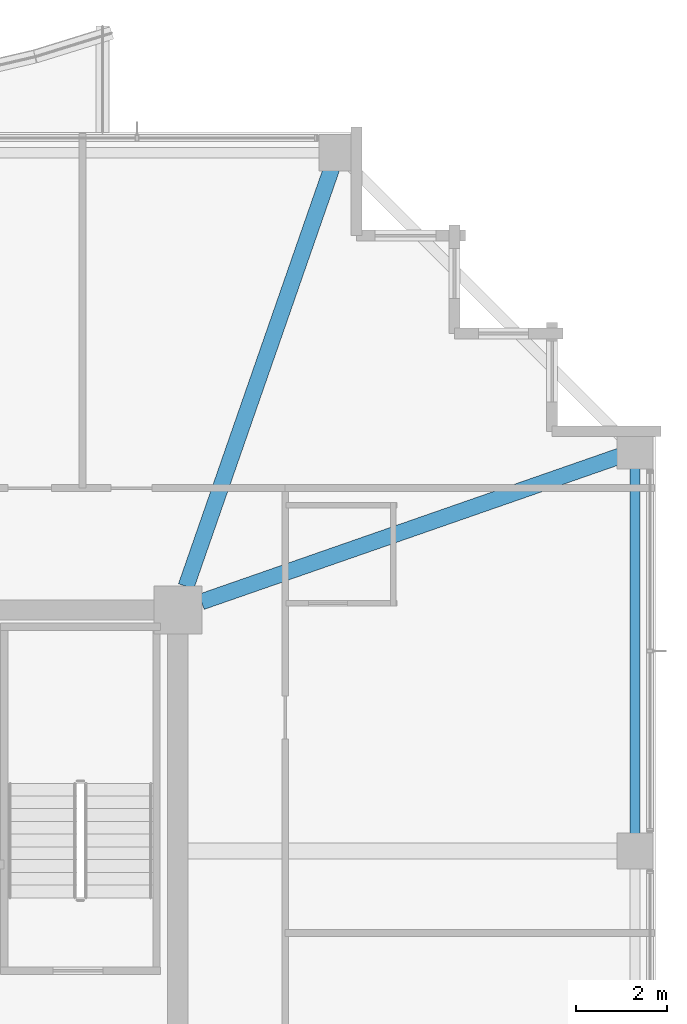
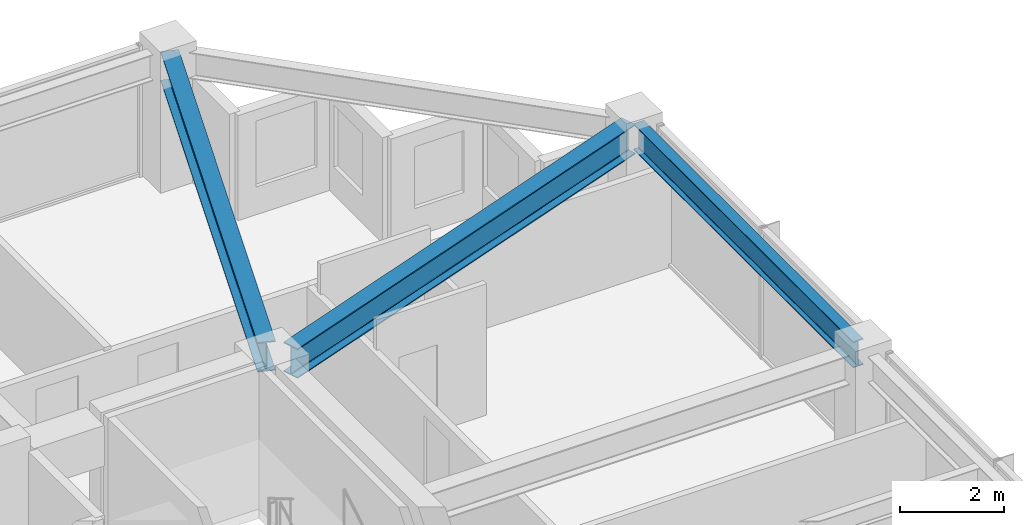
# One storey, part 20 of 36: 3 beams.
"""IFC4 building model written with IfcOpenShell, lengths in metres."""

from ifc_helpers import new_model, si_unit, direction, frame, origin, origin_2d, place, context, subcontext, project, spatial, i_section, extrude, material, material_profile, profile_set, type_object, element, save


model = new_model("IFC4")

# Units and contexts
model_context = context("Model", 3, precision=1e-05, world=origin(), true_north=direction((0.0, 1.0)))
body_context = subcontext(model_context, "Body", "Model", "MODEL_VIEW")
ifc_project = project(units=[si_unit("LENGTHUNIT", "METRE"), si_unit("AREAUNIT", "SQUARE_METRE"), si_unit("VOLUMEUNIT", "CUBIC_METRE"), si_unit("PLANEANGLEUNIT", "RADIAN"), si_unit("MASSUNIT", "GRAM", prefix="KILO")], contexts=[model_context])

# Site, building, storey
site_placement = place(None, origin())
site = spatial("IfcSite", under=ifc_project, at=site_placement, CompositionType="ELEMENT")
building_placement = place(site_placement, origin())
building = spatial("IfcBuilding", under=site, at=building_placement, Name="Kolvaren Belvedere", CompositionType="ELEMENT")
storey_placement = place(building_placement, frame((0.0, 0.0, 226.199951171875)))
storey = spatial("IfcBuildingStorey", under=building, at=storey_placement, Name="L66", CompositionType="ELEMENT", Elevation=226.199951171875)

# Beams
ifc_material_1 = material(Name="Structural steel ASTM A992 Grade 50", Category="steel")
ifc_material_profile_1 = material_profile(ifc_material_1, i_section(OverallWidth=0.35498046875, OverallDepth=0.696044921875, WebThickness=0.015380859375, FlangeThickness=0.02490234375, FilletRadius=0.02197265625, at=origin_2d()), Name="W27X146")
ifc_profile_set_1 = profile_set([ifc_material_profile_1], Name="Structural steel ASTM A992 Grade 50")
beam_type_1 = type_object("IfcBeamType", Name="BM-GIRD-W27X146", PredefinedType="BEAM", material=ifc_profile_set_1)
for number, where, z_axis, x_axis, name in (
    (1, (10.080810546875, 10.41943359375, 2.73193359375), (0.328898147971, 0.944365399758, 0.0), (-0.944365399758, 0.328898147971, 0.0), "L66 Corner Core-to-Perimeter Girder CC3-N4"),
    (2, (10.41943359375, 10.080810546875, 2.73193359375), (0.944365399758, 0.328898147971, 0.0), (-0.328898147971, 0.944365399758, 0.0), "L66 Corner Core-to-Perimeter Girder CC3-E4"),
):
    element("IfcBeam", number, at=place(storey_placement, frame(where, z_axis=z_axis, x_axis=x_axis)), inside=storey, type_object=beam_type_1, Name=name, PredefinedType="BEAM", context=body_context, shape_type="SweptSolid", body=[
        extrude(i_section(OverallWidth=0.35498046875, OverallDepth=0.696044921875, WebThickness=0.015380859375, FlangeThickness=0.02490234375, FilletRadius=0.02197265625, at=origin_2d()), origin(), (0.0, 0.0, 1.0), 9.931884765625),
    ])
ifc_material_2 = material(Name="Structural steel ASTM A992 Grade 50", Category="steel")
ifc_material_profile_2 = material_profile(ifc_material_2, i_section(OverallWidth=0.22900390625, OverallDepth=0.612060546875, WebThickness=0.011962890625, FlangeThickness=0.01953125, FilletRadius=0.01806640625, at=origin_2d()), Name="W24X84")
ifc_profile_set_2 = profile_set([ifc_material_profile_2], Name="Structural steel ASTM A992 Grade 50")
beam_type_2 = type_object("IfcBeamType", Name="BM-SPAN-W24X84", PredefinedType="SPANDREL", material=ifc_profile_set_2)
beam_placement = place(storey_placement, frame((19.949951171875, 4.780029296875, 2.774169921875), z_axis=(0.0, 1.0, 0.0), x_axis=(-1.0, 0.0, 0.0)))
element("IfcBeam", 3, at=beam_placement, inside=storey, type_object=beam_type_2, Name="L66 Perimeter Spandrel E3-E4", PredefinedType="SPANDREL", context=body_context, shape_type="SweptSolid", body=[
    extrude(i_section(OverallWidth=0.22900390625, OverallDepth=0.612060546875, WebThickness=0.011962890625, FlangeThickness=0.01953125, FilletRadius=0.01806640625, at=origin_2d()), origin(), (0.0, 0.0, 1.0), 8.43994140625),
])

save(model, "model.ifc")
